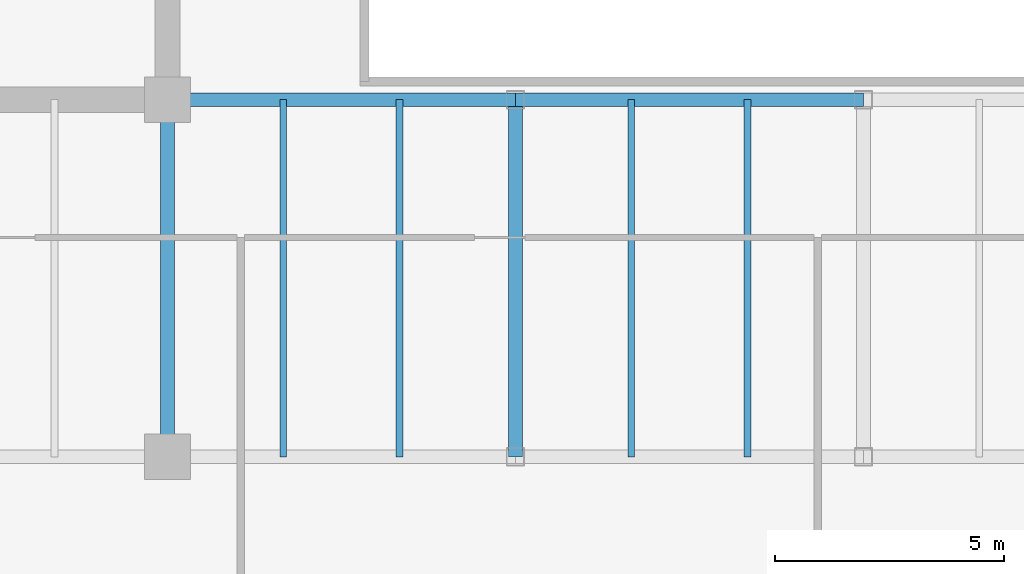
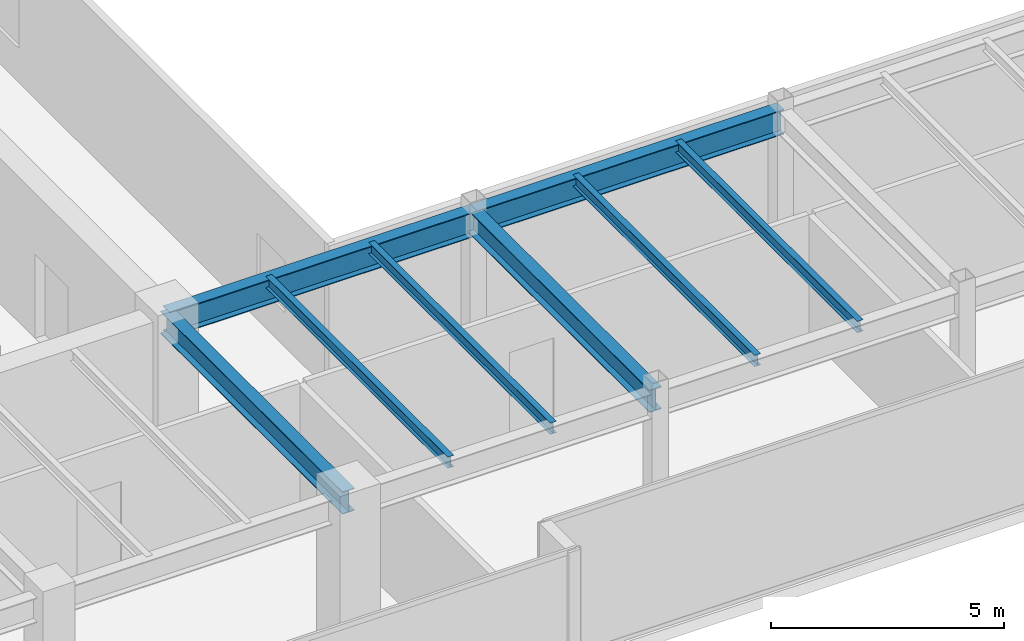
# One storey, part 8 of 33: 8 beams.
"""IFC4 building model written with IfcOpenShell, lengths in metres."""

from ifc_helpers import new_model, si_unit, direction, frame, origin, origin_2d, place, context, subcontext, project, spatial, i_section, extrude, source, transform, mapped, material, material_profile, profile_set, type_object, type_shapes, element, save


model = new_model("IFC4")

# Units and contexts
model_context = context("Model", 3, precision=1e-05, world=origin(), true_north=direction((0.0, 1.0)))
body_context = subcontext(model_context, "Body", "Model", "MODEL_VIEW")
ifc_project = project(units=[si_unit("LENGTHUNIT", "METRE"), si_unit("AREAUNIT", "SQUARE_METRE"), si_unit("VOLUMEUNIT", "CUBIC_METRE"), si_unit("PLANEANGLEUNIT", "RADIAN"), si_unit("MASSUNIT", "GRAM", prefix="KILO")], contexts=[model_context])

# Site, building, storey
site_placement = place(None, origin())
site = spatial("IfcSite", under=ifc_project, at=site_placement, CompositionType="ELEMENT")
building_placement = place(site_placement, origin())
building = spatial("IfcBuilding", under=site, at=building_placement, Name="Haelvirn Gate Laboratories", CompositionType="ELEMENT")
storey_placement = place(building_placement, frame((0.0, 0.0, 238.300048828125)))
storey = spatial("IfcBuildingStorey", under=building, at=storey_placement, Name="L57", CompositionType="ELEMENT", Elevation=238.300048828125)

# Beams
ifc_material = material(Name="Steel SM355", Category="steel")
ifc_material_profile_1 = material_profile(ifc_material, i_section(OverallWidth=0.14990234375, OverallDepth=0.300048828125, WebThickness=0.006591796875, FlangeThickness=0.009033203125, at=origin_2d()), Name="H-300x150x6.5x9")
ifc_profile_set_1 = profile_set([ifc_material_profile_1], Name="Steel SM355")
beam_type_1 = type_object("IfcBeamType", Name="BM-J-300", PredefinedType="JOIST", material=ifc_profile_set_1)
shared_shape_1 = source(origin(), body_context, "Body", "SweptSolid", [
    extrude(i_section(OverallWidth=0.14990234375, OverallDepth=0.300048828125, WebThickness=0.006591796875, FlangeThickness=0.009033203125, at=origin_2d()), origin(), (0.0, 0.0, 1.0), 7.800048828125),
])
type_shapes(beam_type_1, [shared_shape_1])
for number, where, z_axis, x_axis, name in (
    (1, (24.72998046875, 7.0, 3.64990234375), (0.0, 1.0, 0.0), (-1.0, 0.0, 0.0), "L57 Composite Lab Joist South X24.73"),
    (2, (27.27001953125, 7.0, 3.64990234375), (0.0, 1.0, 0.0), (-1.0, 0.0, 0.0), "L57 Composite Lab Joist South X27.27"),
    (3, (32.330078125, 7.0, 3.64990234375), (0.0, 1.0, 0.0), (-1.0, 0.0, 0.0), "L57 Composite Lab Joist South X32.33"),
    (4, (34.8701171875, 7.0, 3.64990234375), (0.0, 1.0, 0.0), (-1.0, 0.0, 0.0), "L57 Composite Lab Joist South X34.87"),
):
    element("IfcBeam", number, at=place(storey_placement, frame(where, z_axis=z_axis, x_axis=x_axis)), inside=storey, type_object=beam_type_1, Name=name, PredefinedType="JOIST", context=body_context, shape_type="MappedRepresentation", body=[
        mapped(shared_shape_1, transform((0.0, 0.0, 0.0), scale=1.0)),
    ])
ifc_material_profile_2 = material_profile(ifc_material, i_section(OverallWidth=0.300048828125, OverallDepth=0.587890625, WebThickness=0.011962890625, FlangeThickness=0.02001953125, at=origin_2d()), Name="H-588x300x12x20")
ifc_profile_set_2 = profile_set([ifc_material_profile_2], Name="Steel SM355")
beam_type_2 = type_object("IfcBeamType", Name="BM-G-588", PredefinedType="BEAM", material=ifc_profile_set_2)
shared_shape_2 = source(origin(), body_context, "Body", "SweptSolid", [
    extrude(i_section(OverallWidth=0.300048828125, OverallDepth=0.587890625, WebThickness=0.011962890625, FlangeThickness=0.02001953125, at=origin_2d()), origin(), (0.0, 0.0, 1.0), 7.800048828125),
])
type_shapes(beam_type_2, [shared_shape_2])
for number, where, z_axis, x_axis, name in (
    (5, (22.199951171875, 7.0, 3.505859375), (0.0, 1.0, 0.0), (-1.0, 0.0, 0.0), "L57 Frame Girder X22.2 (7.0-14.8)"),
    (6, (29.800048828125, 7.0, 3.505859375), (0.0, 1.0, 0.0), (-1.0, 0.0, 0.0), "L57 Frame Girder X29.8 (7.0-14.8)"),
):
    element("IfcBeam", number, at=place(storey_placement, frame(where, z_axis=z_axis, x_axis=x_axis)), inside=storey, type_object=beam_type_2, Name=name, PredefinedType="BEAM", context=body_context, shape_type="MappedRepresentation", body=[
        mapped(shared_shape_2, transform((0.0, 0.0, 0.0), scale=1.0)),
    ])
ifc_material_profile_3 = material_profile(ifc_material, i_section(OverallWidth=0.300048828125, OverallDepth=0.64990234375, WebThickness=0.012939453125, FlangeThickness=0.02197265625, at=origin_2d()), Name="H-650x300x13x22")
ifc_profile_set_3 = profile_set([ifc_material_profile_3], Name="Steel SM355")
beam_type_3 = type_object("IfcBeamType", Name="BM-G-650", PredefinedType="BEAM", material=ifc_profile_set_3)
shared_shape_3 = source(origin(), body_context, "Body", "SweptSolid", [
    extrude(i_section(OverallWidth=0.300048828125, OverallDepth=0.64990234375, WebThickness=0.012939453125, FlangeThickness=0.02197265625, at=origin_2d()), origin(), (0.0, 0.0, 1.0), 7.60009765625),
])
beam_1_placement = place(storey_placement, frame((22.199951171875, 14.800048828125, 3.474853515625), z_axis=(1.0, 0.0, 0.0), x_axis=(0.0, 1.0, 0.0)))
element("IfcBeam", 7, at=beam_1_placement, inside=storey, type_object=beam_type_3, Name="L57 Primary Girder Y14.8 (22.2-29.8)", PredefinedType="BEAM", context=body_context, shape_type="MappedRepresentation", body=[
    mapped(shared_shape_3, transform((0.0, 0.0, 0.0), scale=1.0)),
])
shared_shape_4 = source(origin(), body_context, "Body", "SweptSolid", [
    extrude(i_section(OverallWidth=0.300048828125, OverallDepth=0.64990234375, WebThickness=0.012939453125, FlangeThickness=0.02197265625, at=origin_2d()), origin(), (0.0, 0.0, 1.0), 7.599853515625),
])
type_shapes(beam_type_3, [shared_shape_3, shared_shape_4])
beam_2_placement = place(storey_placement, frame((29.800048828125, 14.800048828125, 3.474853515625), z_axis=(1.0, 0.0, 0.0), x_axis=(0.0, 1.0, 0.0)))
element("IfcBeam", 8, at=beam_2_placement, inside=storey, type_object=beam_type_3, Name="L57 Primary Girder Y14.8 (29.8-37.4)", PredefinedType="BEAM", context=body_context, shape_type="MappedRepresentation", body=[
    mapped(shared_shape_4, transform((0.0, 0.0, 0.0), scale=1.0)),
])

save(model, "model.ifc")
